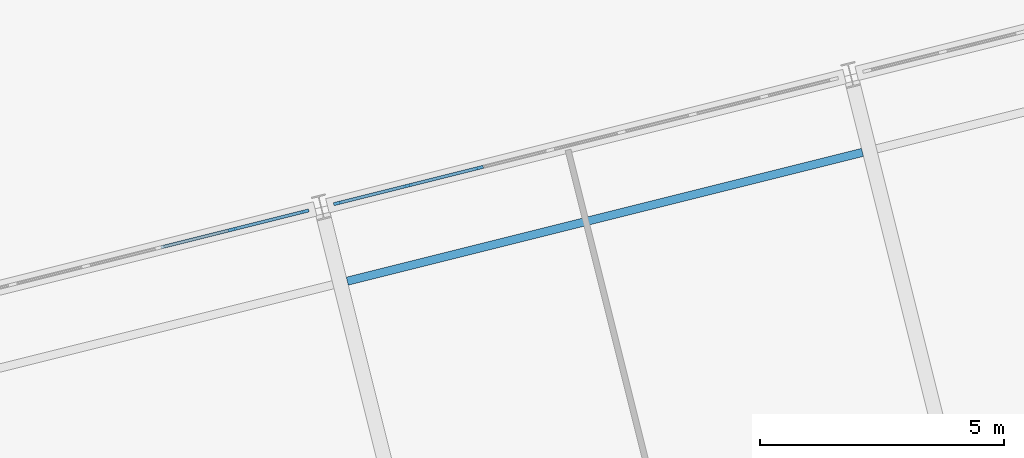
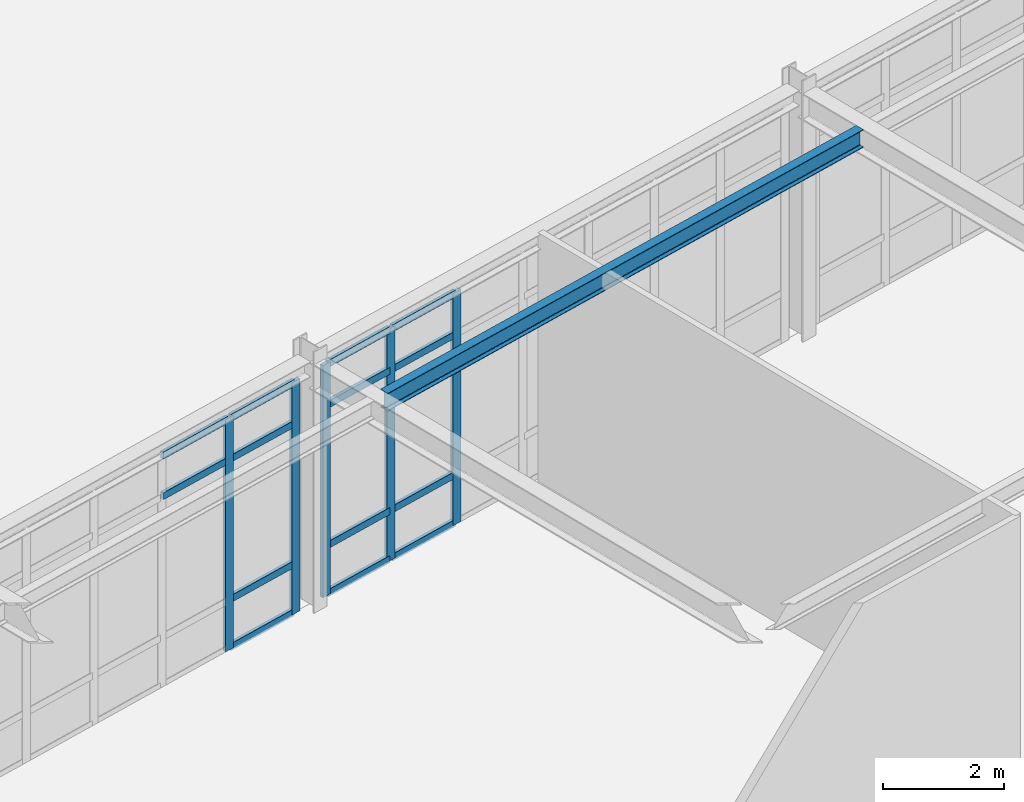
# One storey, part 28 of 109: 19 members, 1 beam, 2 elements without a shape of their own.
"""IFC4 building model written with IfcOpenShell, lengths in metres."""

from ifc_helpers import new_model, si_unit, direction, frame, origin, origin_2d, place, context, subcontext, project, spatial, rectangle, i_section, extrude, material, layer, layer_set, material_profile, profile_set, type_object, element, aggregate, save


model = new_model("IFC4")

# Units and contexts
model_context = context("Model", 3, precision=1e-05, world=origin(), true_north=direction((0.0, 1.0)))
body_context = subcontext(model_context, "Body", "Model", "MODEL_VIEW")
ifc_project = project(units=[si_unit("LENGTHUNIT", "METRE"), si_unit("AREAUNIT", "SQUARE_METRE"), si_unit("VOLUMEUNIT", "CUBIC_METRE"), si_unit("PLANEANGLEUNIT", "RADIAN"), si_unit("MASSUNIT", "GRAM", prefix="KILO")], contexts=[model_context])

# Site, building, storey
site_placement = place(None, origin())
site = spatial("IfcSite", under=ifc_project, at=site_placement, CompositionType="ELEMENT")
building_placement = place(site_placement, origin())
building = spatial("IfcBuilding", under=site, at=building_placement, Name="Nordkorset Police Headquarters", CompositionType="ELEMENT")
storey_placement = place(building_placement, origin())
storey = spatial("IfcBuildingStorey", under=building, at=storey_placement, Name="L00", CompositionType="ELEMENT", Elevation=0.0)

# Beam
ifc_material_1 = material(Name="Steel S355J2", Category="steel")
ifc_material_profile_1 = material_profile(ifc_material_1, i_section(OverallWidth=0.169921875, OverallDepth=0.360107421875, WebThickness=0.008056640625, FlangeThickness=0.0126953125, FilletRadius=0.01806640625, at=origin_2d()), Name="IPE 360")
ifc_profile_set_1 = profile_set([ifc_material_profile_1], Name="Steel S355J2")
beam_type = type_object("IfcBeamType", Name="Beam_IPE_360", PredefinedType="BEAM", material=ifc_profile_set_1)
beam_placement = place(storey_placement, frame((48.5810546875, 61.439208984375, 4.820068359375), z_axis=(0.970145135142, 0.242525084807, 0.0), x_axis=(-0.242525084807, 0.970145135142, 0.0)))
element("IfcBeam", 1, at=beam_placement, inside=storey, type_object=beam_type, Name="Splayed Wing Secondary Beam L00 3-2", PredefinedType="BEAM", context=body_context, shape_type="SweptSolid", body=[
    extrude(i_section(OverallWidth=0.169921875, OverallDepth=0.360107421875, WebThickness=0.008056640625, FlangeThickness=0.0126953125, FilletRadius=0.01806640625, at=origin_2d()), origin(), (0.0, 0.0, 1.0), 10.900146484375),
])

# Curtain wall, members
ifc_material_2 = material(Name="Aluminium alloy AW-6060", Category="aluminium")
ifc_layer_1 = layer(ifc_material_2, 0.179931640625, Name="Aluminium alloy AW-6060")
ifc_layer_set_1 = layer_set([ifc_layer_1], Name="Aluminium alloy AW-6060")
curtain_wall_type_1 = type_object("IfcCurtainWallType", Name="CW_Unit_776x467", PredefinedType="USERDEFINED", material=ifc_layer_set_1)
curtain_wall_1_placement = place(storey_placement, origin())
curtain_wall_1 = element("IfcCurtainWall", 2, at=curtain_wall_1_placement, inside=storey, type_object=curtain_wall_type_1, Name="Unitised Curtain Wall L00 V4N-2", ObjectType="UNITISED CURTAIN WALL", PredefinedType="USERDEFINED")
ifc_material_3 = material(Name="Aluminium alloy AW-6060", Category="aluminium")
ifc_material_profile_2 = material_profile(ifc_material_3, rectangle(XDim=0.06494140625, YDim=0.179931640625, at=origin_2d()), Name="ALU MULL 65x180")
ifc_profile_set_2 = profile_set([ifc_material_profile_2], Name="Aluminium alloy AW-6060")
member_type_1 = type_object("IfcMemberType", Name="CW_Mullion_65x180", PredefinedType="MULLION", material=ifc_profile_set_2)
member_1_placement = place(storey_placement, frame((46.2314453125, 62.5009765625, 0.0), z_axis=(0.0, 0.0, 1.0), x_axis=(-0.242535928242, 0.970142424344, 0.0)))
member_1 = element("IfcMember", 3, at=member_1_placement, type_object=member_type_1, Name="CW-99 mullion 5", PredefinedType="MULLION", context=body_context, shape_type="SweptSolid", body=[
    extrude(rectangle(XDim=0.06494140625, YDim=0.179931640625, at=origin_2d()), origin(), (0.0, 0.0, 1.0), 4.669921875),
])
member_2_placement = place(storey_placement, frame((47.70556640625, 62.86962890625, 0.0), z_axis=(0.0, 0.0, 1.0), x_axis=(-0.242535928242, 0.970142424344, 0.0)))
member_2 = element("IfcMember", 4, at=member_2_placement, type_object=member_type_1, Name="CW-99 mullion 6", PredefinedType="MULLION", context=body_context, shape_type="SweptSolid", body=[
    extrude(rectangle(XDim=0.06494140625, YDim=0.179931640625, at=origin_2d()), origin(), (0.0, 0.0, 1.0), 4.669921875),
])

ifc_material_4 = material(Name="Aluminium alloy AW-6060", Category="aluminium")
ifc_layer_2 = layer(ifc_material_4, 0.179931640625, Name="Aluminium alloy AW-6060")
ifc_layer_set_2 = layer_set([ifc_layer_2], Name="Aluminium alloy AW-6060")
curtain_wall_type_2 = type_object("IfcCurtainWallType", Name="CW_Unit_1056x467", PredefinedType="USERDEFINED", material=ifc_layer_set_2)
curtain_wall_2_placement = place(storey_placement, origin())
curtain_wall_2 = element("IfcCurtainWall", 5, at=curtain_wall_2_placement, inside=storey, type_object=curtain_wall_type_2, Name="Unitised Curtain Wall L00 V4N-3", ObjectType="UNITISED CURTAIN WALL", PredefinedType="USERDEFINED")
member_3_placement = place(storey_placement, frame((48.3896484375, 63.04052734375, 0.0), z_axis=(0.0, 0.0, 1.0), x_axis=(-0.242536070676, 0.970142388735, 0.0)))
member_3 = element("IfcMember", 6, at=member_3_placement, type_object=member_type_1, Name="CW-18 mullion 1", PredefinedType="MULLION", context=body_context, shape_type="SweptSolid", body=[
    extrude(rectangle(XDim=0.06494140625, YDim=0.179931640625, at=origin_2d()), origin(), (0.0, 0.0, 1.0), 4.669921875),
])
member_4_placement = place(storey_placement, frame((49.821533203125, 63.398681640625, 0.0), z_axis=(0.0, 0.0, 1.0), x_axis=(-0.242536070676, 0.970142388735, 0.0)))
member_4 = element("IfcMember", 7, at=member_4_placement, type_object=member_type_1, Name="CW-18 mullion 2", PredefinedType="MULLION", context=body_context, shape_type="SweptSolid", body=[
    extrude(rectangle(XDim=0.06494140625, YDim=0.179931640625, at=origin_2d()), origin(), (0.0, 0.0, 1.0), 4.669921875),
])
member_5_placement = place(storey_placement, frame((51.28515625, 63.764404296875, 0.0), z_axis=(0.0, 0.0, 1.0), x_axis=(-0.242536070676, 0.970142388735, 0.0)))
member_5 = element("IfcMember", 8, at=member_5_placement, type_object=member_type_1, Name="CW-18 mullion 3", PredefinedType="MULLION", context=body_context, shape_type="SweptSolid", body=[
    extrude(rectangle(XDim=0.06494140625, YDim=0.179931640625, at=origin_2d()), origin(), (0.0, 0.0, 1.0), 4.669921875),
])

# Member
ifc_material_5 = material(Name="Aluminium alloy AW-6060", Category="aluminium")
ifc_material_profile_3 = material_profile(ifc_material_5, rectangle(XDim=0.06494140625, YDim=0.139892578125, at=origin_2d()), Name="ALU TRAN 65x140")
ifc_profile_set_3 = profile_set([ifc_material_profile_3], Name="Aluminium alloy AW-6060")
member_type_2 = type_object("IfcMemberType", Name="CW_Transom_65x140", PredefinedType="USERDEFINED", material=ifc_profile_set_3)
member_6_placement = place(storey_placement, frame((44.75732421875, 62.132568359375, 3.820068359375), z_axis=(0.970152157148, 0.242496993757, 0.0), x_axis=(-0.242496993757, 0.970152157148, 0.0)))
member_6 = element("IfcMember", 9, at=member_6_placement, type_object=member_type_2, Name="CW-99 transom 4.3", ObjectType="TRANSOM", PredefinedType="USERDEFINED", context=body_context, shape_type="SweptSolid", body=[
    extrude(rectangle(XDim=0.06494140625, YDim=0.139892578125, at=origin_2d()), origin(), (0.0, 0.0, 1.0), 1.487060546875),
])

member_7_placement = place(storey_placement, frame((44.75732421875, 62.132568359375, 4.637451171875), z_axis=(0.970152157148, 0.242496993757, 0.0), x_axis=(-0.242496993757, 0.970152157148, 0.0)))
member_7 = element("IfcMember", 10, at=member_7_placement, type_object=member_type_2, Name="CW-99 transom 4.4", ObjectType="TRANSOM", PredefinedType="USERDEFINED", context=body_context, shape_type="SweptSolid", body=[
    extrude(rectangle(XDim=0.06494140625, YDim=0.139892578125, at=origin_2d()), origin(), (0.0, 0.0, 1.0), 1.487060546875),
])

member_8_placement = place(storey_placement, frame((46.262939453125, 62.509033203125, 0.032470703125), z_axis=(0.970142500145, 0.242535625036, 0.0), x_axis=(-0.242535625036, 0.970142500145, 0.0)))
member_8 = element("IfcMember", 11, at=member_8_placement, type_object=member_type_2, Name="CW-99 transom 5.1", ObjectType="TRANSOM", PredefinedType="USERDEFINED", context=body_context, shape_type="SweptSolid", body=[
    extrude(rectangle(XDim=0.06494140625, YDim=0.139892578125, at=origin_2d()), origin(), (0.0, 0.0, 1.0), 1.45458984375),
])

member_9_placement = place(storey_placement, frame((46.262939453125, 62.509033203125, 1.0), z_axis=(0.970142500145, 0.242535625036, 0.0), x_axis=(-0.242535625036, 0.970142500145, 0.0)))
member_9 = element("IfcMember", 12, at=member_9_placement, type_object=member_type_2, Name="CW-99 transom 5.2", ObjectType="TRANSOM", PredefinedType="USERDEFINED", context=body_context, shape_type="SweptSolid", body=[
    extrude(rectangle(XDim=0.06494140625, YDim=0.139892578125, at=origin_2d()), origin(), (0.0, 0.0, 1.0), 1.45458984375),
])

member_10_placement = place(storey_placement, frame((46.262939453125, 62.509033203125, 3.820068359375), z_axis=(0.970142500145, 0.242535625036, 0.0), x_axis=(-0.242535625036, 0.970142500145, 0.0)))
member_10 = element("IfcMember", 13, at=member_10_placement, type_object=member_type_2, Name="CW-99 transom 5.3", ObjectType="TRANSOM", PredefinedType="USERDEFINED", context=body_context, shape_type="SweptSolid", body=[
    extrude(rectangle(XDim=0.06494140625, YDim=0.139892578125, at=origin_2d()), origin(), (0.0, 0.0, 1.0), 1.45458984375),
])

member_11_placement = place(storey_placement, frame((46.262939453125, 62.509033203125, 4.637451171875), z_axis=(0.970142500145, 0.242535625036, 0.0), x_axis=(-0.242535625036, 0.970142500145, 0.0)))
member_11 = element("IfcMember", 14, at=member_11_placement, type_object=member_type_2, Name="CW-99 transom 5.4", ObjectType="TRANSOM", PredefinedType="USERDEFINED", context=body_context, shape_type="SweptSolid", body=[
    extrude(rectangle(XDim=0.06494140625, YDim=0.139892578125, at=origin_2d()), origin(), (0.0, 0.0, 1.0), 1.45458984375),
])

aggregate(curtain_wall_1, [member_1, member_2, member_6, member_7, member_8, member_9, member_10, member_11])

member_12_placement = place(storey_placement, frame((48.421142578125, 63.04833984375, 0.032470703125), z_axis=(0.970132321548, 0.242576335796, 0.0), x_axis=(-0.242576335796, 0.970132321548, 0.0)))
member_12 = element("IfcMember", 15, at=member_12_placement, type_object=member_type_2, Name="CW-18 transom 1.1", ObjectType="TRANSOM", PredefinedType="USERDEFINED", context=body_context, shape_type="SweptSolid", body=[
    extrude(rectangle(XDim=0.06494140625, YDim=0.139892578125, at=origin_2d()), origin(), (0.0, 0.0, 1.0), 1.4111328125),
])

member_13_placement = place(storey_placement, frame((48.421142578125, 63.04833984375, 1.0), z_axis=(0.970132321548, 0.242576335796, 0.0), x_axis=(-0.242576335796, 0.970132321548, 0.0)))
member_13 = element("IfcMember", 16, at=member_13_placement, type_object=member_type_2, Name="CW-18 transom 1.2", ObjectType="TRANSOM", PredefinedType="USERDEFINED", context=body_context, shape_type="SweptSolid", body=[
    extrude(rectangle(XDim=0.06494140625, YDim=0.139892578125, at=origin_2d()), origin(), (0.0, 0.0, 1.0), 1.4111328125),
])

member_14_placement = place(storey_placement, frame((48.421142578125, 63.04833984375, 3.820068359375), z_axis=(0.970132321548, 0.242576335796, 0.0), x_axis=(-0.242576335796, 0.970132321548, 0.0)))
member_14 = element("IfcMember", 17, at=member_14_placement, type_object=member_type_2, Name="CW-18 transom 1.3", ObjectType="TRANSOM", PredefinedType="USERDEFINED", context=body_context, shape_type="SweptSolid", body=[
    extrude(rectangle(XDim=0.06494140625, YDim=0.139892578125, at=origin_2d()), origin(), (0.0, 0.0, 1.0), 1.4111328125),
])

member_15_placement = place(storey_placement, frame((48.421142578125, 63.04833984375, 4.637451171875), z_axis=(0.970132321548, 0.242576335796, 0.0), x_axis=(-0.242576335796, 0.970132321548, 0.0)))
member_15 = element("IfcMember", 18, at=member_15_placement, type_object=member_type_2, Name="CW-18 transom 1.4", ObjectType="TRANSOM", PredefinedType="USERDEFINED", context=body_context, shape_type="SweptSolid", body=[
    extrude(rectangle(XDim=0.06494140625, YDim=0.139892578125, at=origin_2d()), origin(), (0.0, 0.0, 1.0), 1.4111328125),
])

member_16_placement = place(storey_placement, frame((49.85302734375, 63.406494140625, 0.032470703125), z_axis=(0.970152446652, 0.242495835541, 0.0), x_axis=(-0.242495835541, 0.970152446652, 0.0)))
member_16 = element("IfcMember", 19, at=member_16_placement, type_object=member_type_2, Name="CW-18 transom 2.1", ObjectType="TRANSOM", PredefinedType="USERDEFINED", context=body_context, shape_type="SweptSolid", body=[
    extrude(rectangle(XDim=0.06494140625, YDim=0.139892578125, at=origin_2d()), origin(), (0.0, 0.0, 1.0), 1.44384765625),
])

member_17_placement = place(storey_placement, frame((49.85302734375, 63.406494140625, 1.0), z_axis=(0.970152446652, 0.242495835541, 0.0), x_axis=(-0.242495835541, 0.970152446652, 0.0)))
member_17 = element("IfcMember", 20, at=member_17_placement, type_object=member_type_2, Name="CW-18 transom 2.2", ObjectType="TRANSOM", PredefinedType="USERDEFINED", context=body_context, shape_type="SweptSolid", body=[
    extrude(rectangle(XDim=0.06494140625, YDim=0.139892578125, at=origin_2d()), origin(), (0.0, 0.0, 1.0), 1.44384765625),
])

member_18_placement = place(storey_placement, frame((49.85302734375, 63.406494140625, 3.820068359375), z_axis=(0.970152446652, 0.242495835541, 0.0), x_axis=(-0.242495835541, 0.970152446652, 0.0)))
member_18 = element("IfcMember", 21, at=member_18_placement, type_object=member_type_2, Name="CW-18 transom 2.3", ObjectType="TRANSOM", PredefinedType="USERDEFINED", context=body_context, shape_type="SweptSolid", body=[
    extrude(rectangle(XDim=0.06494140625, YDim=0.139892578125, at=origin_2d()), origin(), (0.0, 0.0, 1.0), 1.44384765625),
])

member_19_placement = place(storey_placement, frame((49.85302734375, 63.406494140625, 4.637451171875), z_axis=(0.970152446652, 0.242495835541, 0.0), x_axis=(-0.242495835541, 0.970152446652, 0.0)))
member_19 = element("IfcMember", 22, at=member_19_placement, type_object=member_type_2, Name="CW-18 transom 2.4", ObjectType="TRANSOM", PredefinedType="USERDEFINED", context=body_context, shape_type="SweptSolid", body=[
    extrude(rectangle(XDim=0.06494140625, YDim=0.139892578125, at=origin_2d()), origin(), (0.0, 0.0, 1.0), 1.44384765625),
])

aggregate(curtain_wall_2, [member_3, member_4, member_5, member_12, member_13, member_14, member_15, member_16, member_17, member_18, member_19])

save(model, "model.ifc")
